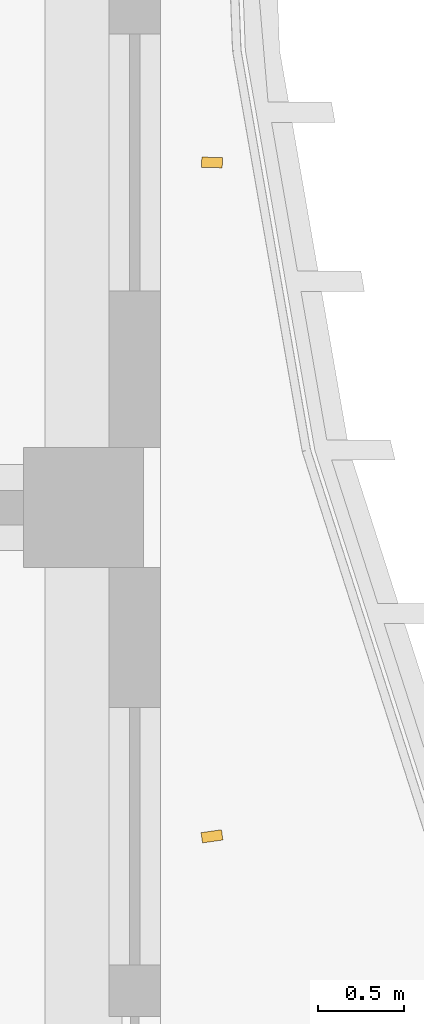
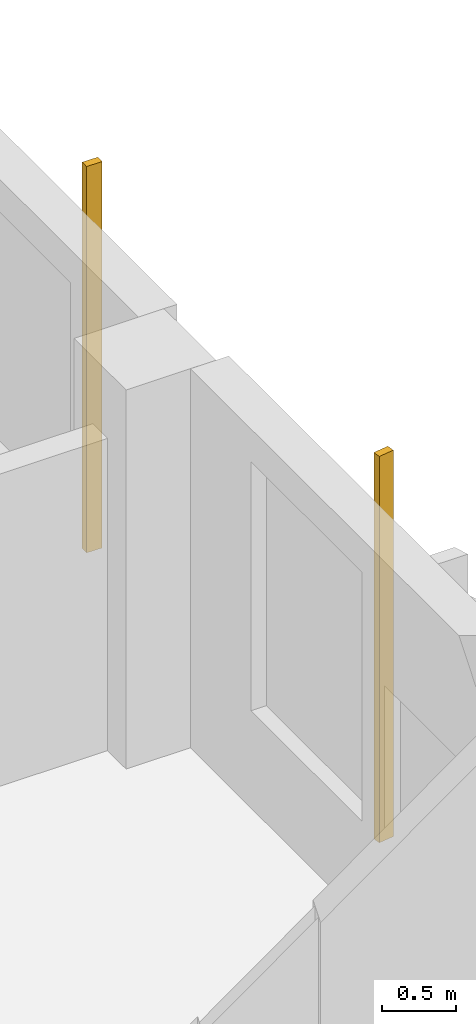
# One storey, part 17 of 19: 2 shading devices.
"""IFC4 building model written with IfcOpenShell, lengths in metres."""

from ifc_helpers import new_model, si_unit, direction, frame, origin, origin_2d, place, context, subcontext, project, spatial, rectangle, extrude, source, transform, mapped, material, material_profile, profile_set, type_object, element, save


model = new_model("IFC4")

# Units and contexts
model_context = context("Model", 3, precision=1e-05, world=origin(), true_north=direction((0.0, 1.0)))
body_context = subcontext(model_context, "Body", "Model", "MODEL_VIEW")
ifc_project = project(units=[si_unit("LENGTHUNIT", "METRE"), si_unit("AREAUNIT", "SQUARE_METRE"), si_unit("VOLUMEUNIT", "CUBIC_METRE"), si_unit("PLANEANGLEUNIT", "RADIAN"), si_unit("MASSUNIT", "GRAM", prefix="KILO")], contexts=[model_context])

# Site, building, storey
site_placement = place(None, origin())
site = spatial("IfcSite", under=ifc_project, at=site_placement, CompositionType="ELEMENT")
building_placement = place(site_placement, origin())
building = spatial("IfcBuilding", under=site, at=building_placement, Name="Kilnfold Tower and Market Hall", CompositionType="ELEMENT")
storey_placement = place(building_placement, frame((0.0, 0.0, 242.39990234375)))
storey = spatial("IfcBuildingStorey", under=building, at=storey_placement, Name="L58", CompositionType="ELEMENT", Elevation=242.39990234375)

# Shading devices
ifc_material = material(Name="Terracotta", Category="masonry")
ifc_material_profile = material_profile(ifc_material, rectangle(XDim=0.06005859375, YDim=0.1201171875, at=origin_2d()), Name="BAG 60x120")
ifc_profile_set = profile_set([ifc_material_profile], Name="Terracotta")
shading_device_type = type_object("IfcShadingDeviceType", Name="BAGUETTE", PredefinedType="USERDEFINED", material=ifc_profile_set)
shared_shape = source(origin(), body_context, "Body", "SweptSolid", [
    extrude(rectangle(XDim=0.06005859375, YDim=0.1201171875, at=origin_2d()), origin(), (0.0, 0.0, 1.0), 3.18017578125),
])
for number, where, z_axis, x_axis, name in (
    (1, (29.800048828125, 6.083251953125, 0.0), (0.0, 0.0, 1.0), (-0.138872362721, 0.990310288179, 0.0), "Terracotta baguette L58 E"),
    (2, (29.800048828125, 10.012451171875, 0.0), (0.0, 0.0, 1.0), (0.017639127919, 0.99984441848, 0.0), "Terracotta baguette L58 E"),
):
    element("IfcShadingDevice", number, at=place(storey_placement, frame(where, z_axis=z_axis, x_axis=x_axis)), inside=storey, type_object=shading_device_type, Name=name, ObjectType="BAGUETTE", PredefinedType="USERDEFINED", context=body_context, shape_type="MappedRepresentation", body=[
        mapped(shared_shape, transform((0.0, 0.0, 0.0))),
    ])

save(model, "model.ifc")
